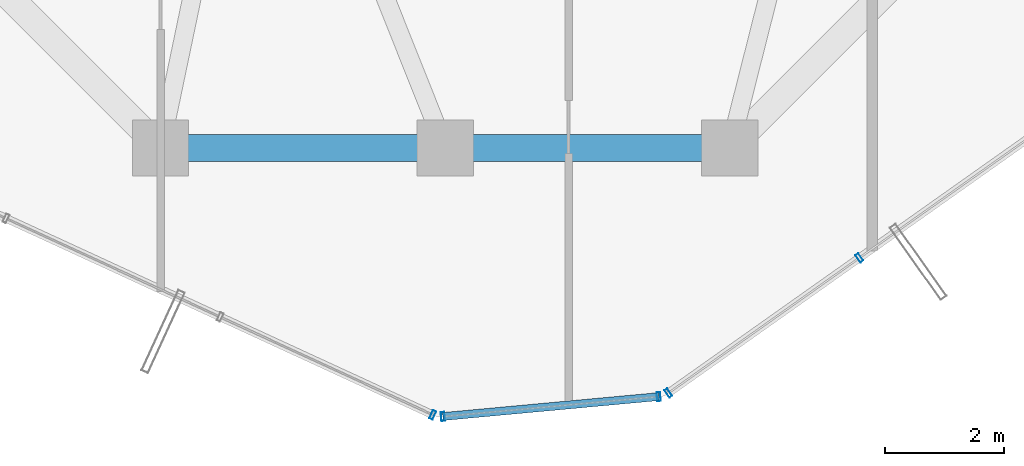
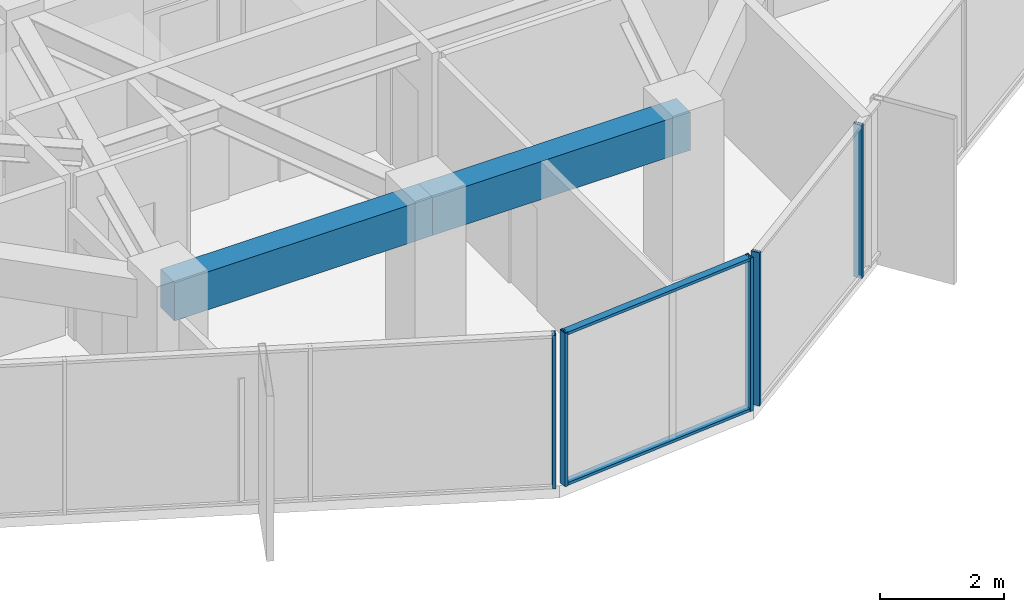
# One storey, part 7 of 32: 7 members, 2 beams, 3 elements without a shape of their own.
"""IFC4 building model written with IfcOpenShell, lengths in metres."""

from ifc_helpers import new_model, si_unit, direction, frame, origin, origin_2d, place, context, subcontext, project, spatial, rectangle, hollow_rectangle, extrude, source, transform, mapped, material, layer, layer_set, material_profile, profile_set, type_object, element, aggregate, save


model = new_model("IFC4")

# Units and contexts
model_context = context("Model", 3, precision=1e-05, world=origin(), true_north=direction((0.0, 1.0)))
body_context = subcontext(model_context, "Body", "Model", "MODEL_VIEW")
ifc_project = project(units=[si_unit("LENGTHUNIT", "METRE"), si_unit("AREAUNIT", "SQUARE_METRE"), si_unit("VOLUMEUNIT", "CUBIC_METRE"), si_unit("PLANEANGLEUNIT", "RADIAN"), si_unit("MASSUNIT", "GRAM", prefix="KILO")], contexts=[model_context])

# Site, building, storey
site_placement = place(None, origin())
site = spatial("IfcSite", under=ifc_project, at=site_placement, CompositionType="ELEMENT")
building_placement = place(site_placement, origin())
building = spatial("IfcBuilding", under=site, at=building_placement, Name="Veraguas Prism Commons", CompositionType="ELEMENT")
storey_placement = place(building_placement, frame((0.0, 0.0, 188.60009765625)))
storey = spatial("IfcBuildingStorey", under=building, at=storey_placement, Name="L53", CompositionType="ELEMENT", Elevation=188.60009765625)

# Beams
ifc_material_1 = material(Name="Concrete C50/60", Category="concrete")
ifc_material_profile_1 = material_profile(ifc_material_1, rectangle(XDim=0.449951171875, YDim=0.75, at=origin_2d()), Name="RC450X750")
ifc_profile_set_1 = profile_set([ifc_material_profile_1], Name="Concrete C50/60")
beam_type = type_object("IfcBeamType", Name="Perimeter Spandrel Upper RC 450x750", PredefinedType="SPANDREL", material=ifc_profile_set_1)
for number, where, z_axis, x_axis, name in (
    (1, (19.199951171875, 9.10009765625, 2.639892578125), (1.0, 0.0, 0.0), (0.0, 1.0, 0.0), "Perimeter Spandrel Beam L53-SP10"),
    (2, (24.0, 9.10009765625, 2.639892578125), (1.0, 0.0, 0.0), (0.0, 1.0, 0.0), "Perimeter Spandrel Beam L53-SP11"),
):
    element("IfcBeam", number, at=place(storey_placement, frame(where, z_axis=z_axis, x_axis=x_axis)), inside=storey, type_object=beam_type, Name=name, PredefinedType="SPANDREL", context=body_context, shape_type="SweptSolid", body=[
        extrude(rectangle(XDim=0.449951171875, YDim=0.75, at=origin_2d()), origin(), (0.0, 0.0, 1.0), 4.800048828125),
    ])

# Curtain wall, member
ifc_material_2 = material(Name="Anodised aluminium EN AW-6063 T6", Category="aluminium")
ifc_layer = layer(ifc_material_2, 0.14990234375, Name="Unitised Flush Curtain Wall Zone 3", Category="aluminium")
ifc_layer_set = layer_set([ifc_layer], Name="Anodised aluminium EN AW-6063 T6")
curtain_wall_type = type_object("IfcCurtainWallType", Name="Unitised Flush Curtain Wall Zone 3", PredefinedType="NOTDEFINED", material=ifc_layer_set)
curtain_wall_1_placement = place(storey_placement, origin())
curtain_wall_1 = element("IfcCurtainWall", 3, at=curtain_wall_1_placement, inside=storey, type_object=curtain_wall_type, Name="Tower Facade Curtain Wall L53-F4", PredefinedType="NOTDEFINED")
ifc_material_profile_2 = material_profile(ifc_material_2, hollow_rectangle(XDim=0.06005859375, YDim=0.14990234375, WallThickness=0.0029296875, at=origin_2d()), Name="AL60X150X3")
ifc_profile_set_2 = profile_set([ifc_material_profile_2], Name="Anodised aluminium EN AW-6063 T6")
member_type_1 = type_object("IfcMemberType", Name="Curtain Wall Mullion Upper AL 60x150x3", PredefinedType="MULLION", material=ifc_profile_set_2)
shared_shape_1 = source(origin(), body_context, "Body", "SweptSolid", [
    extrude(hollow_rectangle(XDim=0.06005859375, YDim=0.14990234375, WallThickness=0.0029296875, at=origin_2d()), origin(), (0.0, 0.0, 1.0), 3.014892578125),
])
member_1_placement = place(storey_placement, frame((23.789306640625, 4.60009765625, 0.0), z_axis=(0.0, 0.0, 1.0), x_axis=(0.908361529184, -0.418185762907, 0.0)))
member_1 = element("IfcMember", 4, at=member_1_placement, type_object=member_type_1, Name="CW-Z3 Mullion 5", PredefinedType="MULLION", context=body_context, shape_type="MappedRepresentation", body=[
    mapped(shared_shape_1, transform((0.0, 0.0, 0.0), scale=1.0)),
])
aggregate(curtain_wall_1, [member_1])

# Curtain wall, members
curtain_wall_2_placement = place(storey_placement, origin())
curtain_wall_2 = element("IfcCurtainWall", 5, at=curtain_wall_2_placement, inside=storey, type_object=curtain_wall_type, Name="Tower Facade Curtain Wall L53-F5", PredefinedType="NOTDEFINED")
member_2_placement = place(storey_placement, frame((27.7626953125, 4.967529296875, 0.0), z_axis=(0.0, 0.0, 1.0), x_axis=(0.816341266821, 0.577569853857, 0.0)))
member_2 = element("IfcMember", 6, at=member_2_placement, type_object=member_type_1, Name="CW-Z3 Mullion 1", PredefinedType="MULLION", context=body_context, shape_type="MappedRepresentation", body=[
    mapped(shared_shape_1, transform((0.0, 0.0, 0.0), scale=1.0)),
])
member_3_placement = place(storey_placement, frame((30.983642578125, 7.246337890625, 0.0), z_axis=(0.0, 0.0, 1.0), x_axis=(0.816341266821, 0.577569853857, 0.0)))
member_3 = element("IfcMember", 7, at=member_3_placement, type_object=member_type_1, Name="CW-Z3 Mullion 2", PredefinedType="MULLION", context=body_context, shape_type="MappedRepresentation", body=[
    mapped(shared_shape_1, transform((0.0, 0.0, 0.0), scale=1.0)),
])
aggregate(curtain_wall_2, [member_2, member_3])

curtain_wall_3_placement = place(storey_placement, origin())
curtain_wall_3 = element("IfcCurtainWall", 8, at=curtain_wall_3_placement, inside=storey, type_object=curtain_wall_type, Name="Chamfer Curtain Wall L53-C5", PredefinedType="NOTDEFINED")
member_4_placement = place(storey_placement, frame((23.960693359375, 4.57080078125, 0.0), z_axis=(0.0, 0.0, 1.0), x_axis=(0.995754792746, 0.092045601321, 0.0)))
member_4 = element("IfcMember", 9, at=member_4_placement, type_object=member_type_1, Name="CW-Z3 Mullion 1", PredefinedType="MULLION", context=body_context, shape_type="MappedRepresentation", body=[
    mapped(shared_shape_1, transform((0.0, 0.0, 0.0), scale=1.0)),
])
member_5_placement = place(storey_placement, frame((27.599609375, 4.9072265625, 0.0), z_axis=(0.0, 0.0, 1.0), x_axis=(0.995754792746, 0.092045601321, 0.0)))
member_5 = element("IfcMember", 10, at=member_5_placement, type_object=member_type_1, Name="CW-Z3 Mullion 2", PredefinedType="MULLION", context=body_context, shape_type="MappedRepresentation", body=[
    mapped(shared_shape_1, transform((0.0, 0.0, 0.0), scale=1.0)),
])
ifc_material_profile_3 = material_profile(ifc_material_2, hollow_rectangle(XDim=0.054931640625, YDim=0.135009765625, WallThickness=0.0029296875, at=origin_2d()), Name="AL55X135X3")
ifc_profile_set_3 = profile_set([ifc_material_profile_3], Name="Anodised aluminium EN AW-6063 T6")
member_type_2 = type_object("IfcMemberType", Name="Curtain Wall Transom Standard AL 55x135x3", PredefinedType="USERDEFINED", material=ifc_profile_set_3)
shared_shape_2 = source(origin(), body_context, "Body", "SweptSolid", [
    extrude(hollow_rectangle(XDim=0.054931640625, YDim=0.135009765625, WallThickness=0.0029296875, at=origin_2d()), origin(), (0.0, 0.0, 1.0), 3.654541015625),
])
member_6_placement = place(storey_placement, frame((23.960693359375, 4.57080078125, 0.02734375), z_axis=(0.995753498741, 0.092059598877, 0.0), x_axis=(0.0, 0.0, 1.0)))
member_6 = element("IfcMember", 11, at=member_6_placement, type_object=member_type_2, Name="CW-Z3 Transom 1", ObjectType="TRANSOM", PredefinedType="USERDEFINED", context=body_context, shape_type="MappedRepresentation", body=[
    mapped(shared_shape_2, transform((0.0, 0.0, 0.0), scale=1.0)),
])
member_7_placement = place(storey_placement, frame((23.960693359375, 4.57080078125, 2.9873046875), z_axis=(0.995753498741, 0.092059598877, 0.0), x_axis=(0.0, 0.0, 1.0)))
member_7 = element("IfcMember", 12, at=member_7_placement, type_object=member_type_2, Name="CW-Z3 Transom 2", ObjectType="TRANSOM", PredefinedType="USERDEFINED", context=body_context, shape_type="MappedRepresentation", body=[
    mapped(shared_shape_2, transform((0.0, 0.0, 0.0), scale=1.0)),
])
aggregate(curtain_wall_3, [member_4, member_5, member_6, member_7])

save(model, "model.ifc")
